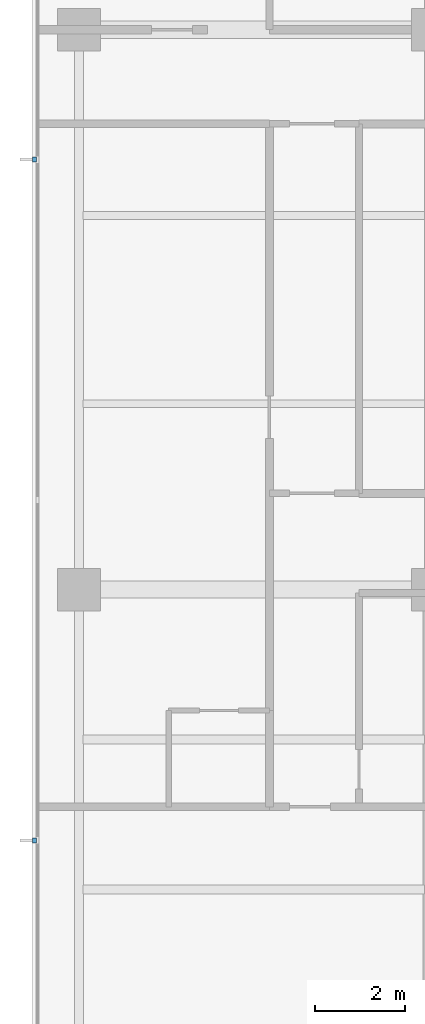
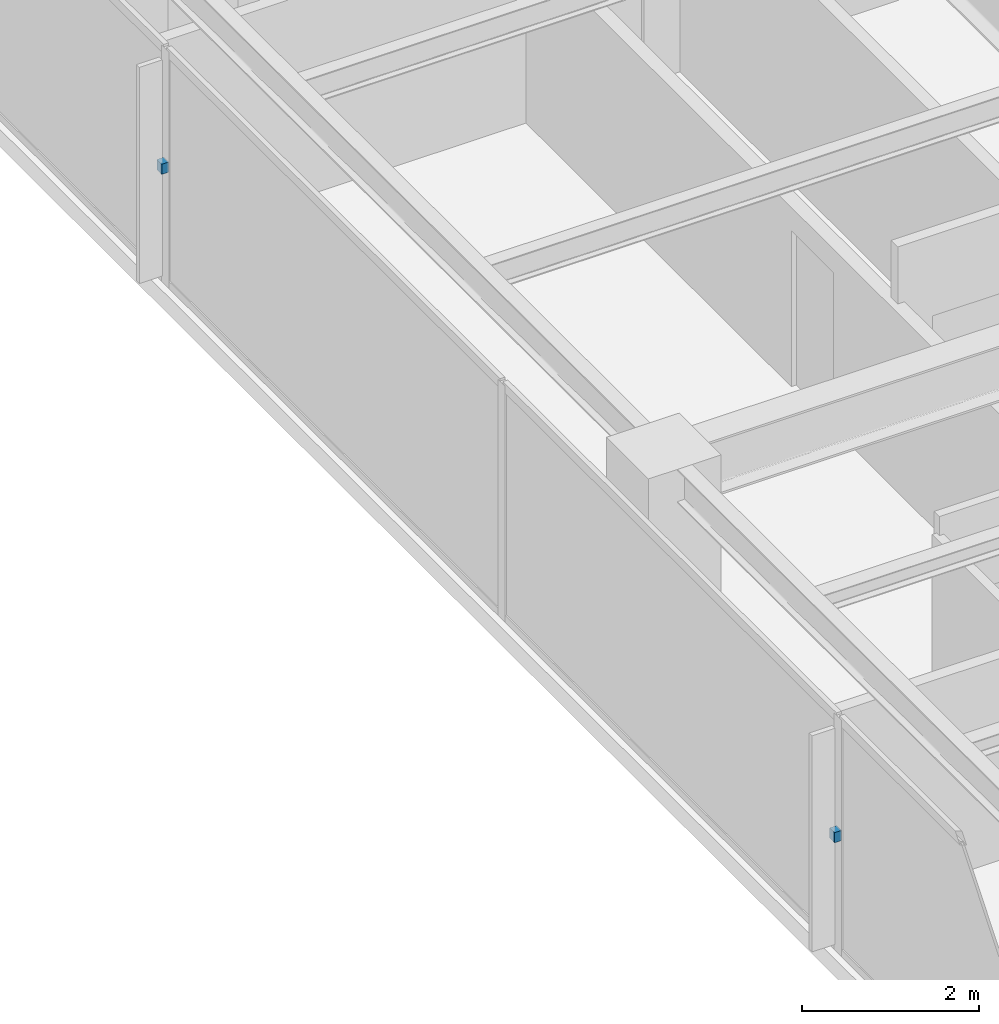
# One storey, part 11 of 14: 2 discrete accessories.
"""IFC4 building model written with IfcOpenShell, lengths in metres."""

from ifc_helpers import new_model, si_unit, direction, frame, origin, place, context, subcontext, project, spatial, polyline, outline, extrude, material, type_object, element, save


model = new_model("IFC4")

# Units and contexts
model_context = context("Model", 3, precision=1e-05, world=origin(), true_north=direction((0.0, 1.0)))
body_context = subcontext(model_context, "Body", "Model", "MODEL_VIEW")
ifc_project = project(units=[si_unit("LENGTHUNIT", "METRE"), si_unit("AREAUNIT", "SQUARE_METRE"), si_unit("VOLUMEUNIT", "CUBIC_METRE"), si_unit("PLANEANGLEUNIT", "RADIAN"), si_unit("MASSUNIT", "GRAM", prefix="KILO")], contexts=[model_context])

# Site, building, storey
site_placement = place(None, origin())
site = spatial("IfcSite", under=ifc_project, at=site_placement, CompositionType="ELEMENT")
building_placement = place(site_placement, origin())
building = spatial("IfcBuilding", under=site, at=building_placement, Name="Qalmaran Belvedere Hotel", CompositionType="ELEMENT")
storey_placement = place(building_placement, frame((0.0, 0.0, 217.89990234375)))
storey = spatial("IfcBuildingStorey", under=building, at=storey_placement, Name="L55", CompositionType="ELEMENT", Elevation=217.89990234375)

# Discrete accessories
ifc_material = material(Name="Stainless Steel 1.4401", Category="steel")
discrete_accessory_type = type_object("IfcDiscreteAccessoryType", Name="BRK-FIN-SS316", PredefinedType="BRACKET", material=ifc_material)
discrete_accessory_1_placement = place(storey_placement, frame((0.0, 0.0, 1.580078125)))
element("IfcDiscreteAccessory", 1, at=discrete_accessory_1_placement, inside=storey, type_object=discrete_accessory_type, Name="L55 Fin Bracket 1", PredefinedType="BRACKET", context=body_context, shape_type="SweptSolid", body=[
    extrude(outline(polyline([(11.455078125, 30.155029296875), (11.362548828125, 30.155029296875), (11.362548828125, 30.044921875), (11.455078125, 30.044921875), (11.455078125, 30.155029296875)])), origin(), (0.0, 0.0, 1.0), 0.14013671875),
])
discrete_accessory_2_placement = place(storey_placement, frame((0.0, 0.0, 1.580078125)))
element("IfcDiscreteAccessory", 2, at=discrete_accessory_2_placement, inside=storey, type_object=discrete_accessory_type, Name="L55 Fin Bracket 3", PredefinedType="BRACKET", context=body_context, shape_type="SweptSolid", body=[
    extrude(outline(polyline([(11.455078125, 14.955078125), (11.362548828125, 14.955078125), (11.362548828125, 14.844970703125), (11.455078125, 14.844970703125), (11.455078125, 14.955078125)])), origin(), (0.0, 0.0, 1.0), 0.14013671875),
])

save(model, "model.ifc")
